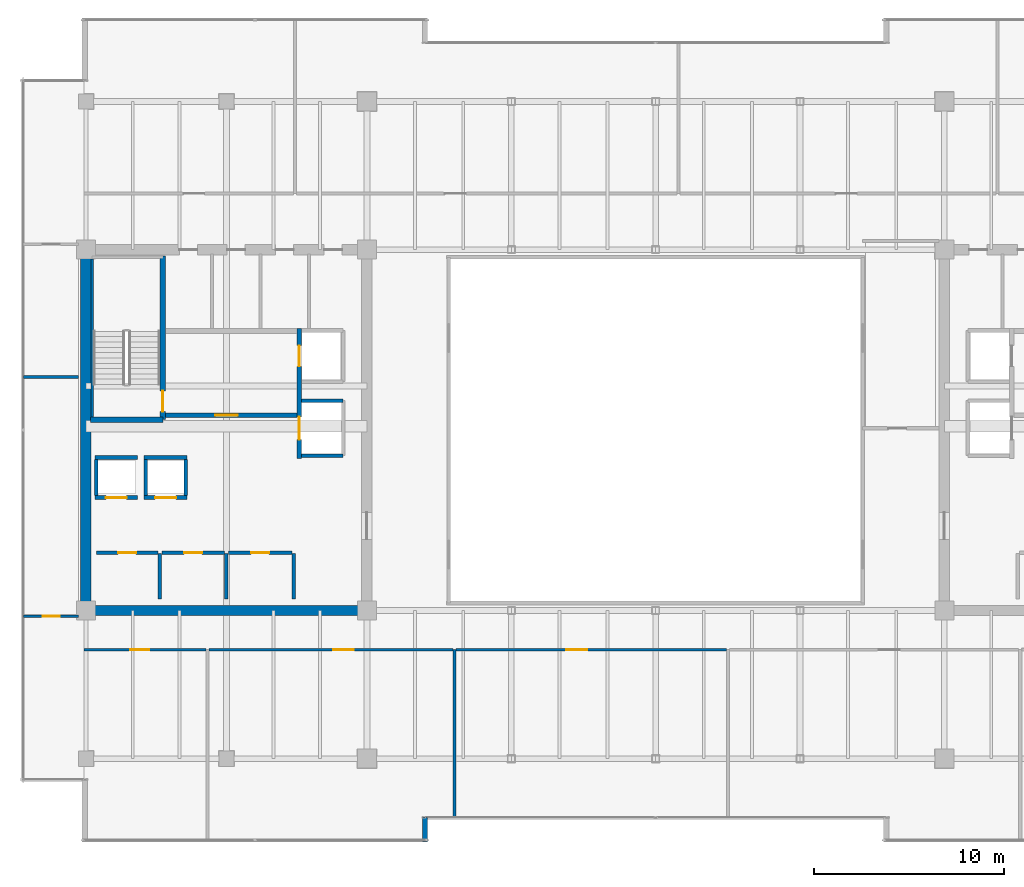
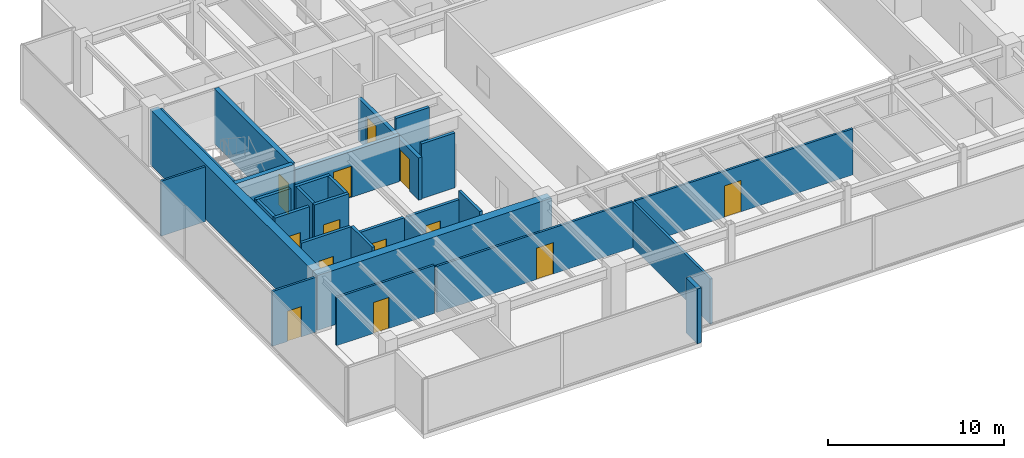
# One storey, part 28 of 35: 29 walls, 13 doors, 13 openings.
"""IFC4 building model written with IfcOpenShell, lengths in metres."""

from ifc_helpers import new_model, si_unit, direction, frame, frame_2d, origin, place, context, subcontext, project, spatial, rectangle, extrude, source, transform, mapped, material, layer, layer_set, type_object, type_shapes, element, fill, save


model = new_model("IFC4")

# Units and contexts
model_context = context("Model", 3, precision=1e-05, world=origin(), true_north=direction((0.0, 1.0)))
body_context = subcontext(model_context, "Body", "Model", "MODEL_VIEW")
ifc_project = project(units=[si_unit("LENGTHUNIT", "METRE"), si_unit("AREAUNIT", "SQUARE_METRE"), si_unit("VOLUMEUNIT", "CUBIC_METRE"), si_unit("PLANEANGLEUNIT", "RADIAN"), si_unit("MASSUNIT", "GRAM", prefix="KILO")], contexts=[model_context])

# Site, building, storey
site_placement = place(None, origin())
site = spatial("IfcSite", under=ifc_project, at=site_placement, CompositionType="ELEMENT")
building_placement = place(site_placement, origin())
building = spatial("IfcBuilding", under=site, at=building_placement, Name="Haelvirn Gate Laboratories", CompositionType="ELEMENT")
storey_placement = place(building_placement, frame((0.0, 0.0, 226.0)))
storey = spatial("IfcBuildingStorey", under=building, at=storey_placement, Name="L54", CompositionType="ELEMENT", Elevation=226.0)

# Walls
ifc_material_1 = material(Name="Thermally-broken bronze aluminium rainscreen & mineral wool", Category="aluminium")
ifc_layer_1 = layer(ifc_material_1, 0.280029296875, Name="EW-TERR-280")
ifc_layer_set_1 = layer_set([ifc_layer_1], Name="Thermally-broken bronze aluminium rainscreen & mineral wool")
wall_type_1 = type_object("IfcWallType", Name="EW-TERR-280", PredefinedType="STANDARD", material=ifc_layer_set_1)
wall_1_placement = place(storey_placement, frame((25.260009765625, 2.60009765625, 0.0), z_axis=(0.0, 0.0, 1.0), x_axis=(0.0, 1.0, 0.0)))
element("IfcWall", 1, at=wall_1_placement, inside=storey, type_object=wall_type_1, Name="L54 Atrium Recess Bronze Return Wall 01", PredefinedType="STANDARD", context=body_context, shape_type="SweptSolid", body=[
    extrude(rectangle(XDim=1.29296875, YDim=0.280029296875, at=frame_2d((0.646484375, 0.0))), origin(), (0.0, 0.0, 1.0), 3.800048828125),
])
ifc_material_2 = material(Name="Double-layer acoustic gypsum laboratory partition", Category="gypsum")
ifc_layer_2 = layer(ifc_material_2, 0.159912109375, Name="IW-ACOUST-160")
ifc_layer_set_2 = layer_set([ifc_layer_2], Name="Double-layer acoustic gypsum laboratory partition")
wall_type_2 = type_object("IfcWallType", Name="IW-ACOUST-160", PredefinedType="PARTITIONING", material=ifc_layer_set_2)
wall_2_placement = place(storey_placement, frame((26.800048828125, 3.909912109375, 0.0), z_axis=(0.0, 0.0, 1.0), x_axis=(0.0, 1.0, 0.0)))
element("IfcWall", 2, at=wall_2_placement, inside=storey, type_object=wall_type_2, Name="L54 Interior Wall IW-L54-SDIV-02", PredefinedType="PARTITIONING", context=body_context, shape_type="SweptSolid", body=[
    extrude(rectangle(XDim=8.830078125, YDim=0.159912109375, at=frame_2d((4.4150390625, 0.0))), origin(), (0.0, 0.0, 1.0), 3.135009765625),
])

# Wall, opening, door
ifc_material_3 = material(Name="Acoustic mineral-wool gypsum board partition", Category="gypsum")
ifc_layer_3 = layer(ifc_material_3, 0.139892578125, Name="IW-PART-140")
ifc_layer_set_3 = layer_set([ifc_layer_3], Name="Acoustic mineral-wool gypsum board partition")
wall_type_3 = type_object("IfcWallType", Name="IW-PART-140", PredefinedType="PARTITIONING", material=ifc_layer_set_3)
wall_3_placement = place(storey_placement, frame((7.31005859375, 12.739990234375, 0.0), z_axis=(0.0, 0.0, 1.0), x_axis=(1.0, 0.0, 0.0)))
wall_3 = element("IfcWall", 3, at=wall_3_placement, inside=storey, type_object=wall_type_3, Name="L54 Interior Wall IW-L54-SCORR-01", PredefinedType="PARTITIONING", context=body_context, shape_type="SweptSolid", body=[
    extrude(rectangle(XDim=6.409912109375, YDim=0.139892578125, at=frame_2d((3.205078125, 0.0))), origin(), (0.0, 0.0, 1.0), 3.3349609375),
])
opening_1_placement = place(wall_3_placement, frame((2.42236328125, 0.0, 0.0)))
opening_1 = element("IfcOpeningElement", 4, at=opening_1_placement, cuts=wall_3, Name="Opening D2", PredefinedType="OPENING", context=body_context, shape_type="SweptSolid", body=[
    extrude(rectangle(XDim=1.0, YDim=2.14990234375, at=frame_2d((0.5, 1.074951171875))), frame((0.0, 0.080078125, 0.0), z_axis=(0.0, -1.0, 0.0), x_axis=(1.0, 0.0, 0.0)), (0.0, 0.0, 1.0), 0.159912109375),
])
ifc_material_4 = material(Name="Acoustic solid-core timber suite door", Category="wood")
door_type_1 = type_object("IfcDoorType", Name="DR-INT-1000", OperationType="NOTDEFINED", PredefinedType="DOOR", material=ifc_material_4)
shared_shape_1 = source(origin(), body_context, "Body", "SweptSolid", [
    extrude(rectangle(XDim=1.0, YDim=2.14990234375, at=frame_2d((0.5, 1.074951171875))), frame((0.0, 0.02490234375, 0.0), z_axis=(0.0, -1.0, 0.0), x_axis=(1.0, 0.0, 0.0)), (0.0, 0.0, 1.0), 0.050048828125),
])
type_shapes(door_type_1, [shared_shape_1])
door_1_placement = place(opening_1_placement, origin())
door_1 = element("IfcDoor", 5, at=door_1_placement, inside=storey, type_object=door_type_1, Name="L54 Translational Data Office Door S1", OperationType="SINGLE_SWING_LEFT", OverallHeight=2.14990234375, OverallWidth=1.0, PredefinedType="DOOR", context=body_context, shape_type="MappedRepresentation", body=[
    mapped(shared_shape_1, transform((0.0, 0.0, 0.0), scale=1.0)),
])
fill(opening_1, door_1)

wall_4_placement = place(storey_placement, frame((13.8798828125, 12.739990234375, 0.0), z_axis=(0.0, 0.0, 1.0), x_axis=(1.0, 0.0, 0.0)))
wall_4 = element("IfcWall", 6, at=wall_4_placement, inside=storey, type_object=wall_type_3, Name="L54 Interior Wall IW-L54-SCORR-02", PredefinedType="PARTITIONING", context=body_context, shape_type="SweptSolid", body=[
    extrude(rectangle(XDim=12.840087890625, YDim=0.139892578125, at=frame_2d((6.419921875, 0.0))), origin(), (0.0, 0.0, 1.0), 3.197021484375),
])
opening_2_placement = place(wall_4_placement, frame((6.532470703125, 0.0, 0.0)))
opening_2 = element("IfcOpeningElement", 7, at=opening_2_placement, cuts=wall_4, Name="Opening D1", PredefinedType="OPENING", context=body_context, shape_type="SweptSolid", body=[
    extrude(rectangle(XDim=1.10009765625, YDim=2.179931640625, at=frame_2d((0.550048828125, 1.08984375))), frame((0.0, 0.080078125, 0.0), z_axis=(0.0, -1.0, 0.0), x_axis=(1.0, 0.0, 0.0)), (0.0, 0.0, 1.0), 0.159912109375),
])
ifc_material_5 = material(Name="Vision-panel acoustic solid-core timber lab door", Category="wood")
door_type_2 = type_object("IfcDoorType", Name="DR-LAB-1100", OperationType="NOTDEFINED", PredefinedType="DOOR", material=ifc_material_5)
shared_shape_2 = source(origin(), body_context, "Body", "SweptSolid", [
    extrude(rectangle(XDim=1.10009765625, YDim=2.179931640625, at=frame_2d((0.550048828125, 1.08984375))), frame((0.0, 0.02490234375, 0.0), z_axis=(0.0, -1.0, 0.0), x_axis=(1.0, 0.0, 0.0)), (0.0, 0.0, 1.0), 0.050048828125),
])
type_shapes(door_type_2, [shared_shape_2])
door_2_placement = place(opening_2_placement, origin())
door_2 = element("IfcDoor", 8, at=door_2_placement, inside=storey, type_object=door_type_2, Name="L54 Computational Write-Up Office Door S2", OperationType="SINGLE_SWING_RIGHT", OverallHeight=2.179931640625, OverallWidth=1.10009765625, PredefinedType="DOOR", context=body_context, shape_type="MappedRepresentation", body=[
    mapped(shared_shape_2, transform((0.0, 0.0, 0.0), scale=1.0)),
])
fill(opening_2, door_2)

wall_5_placement = place(storey_placement, frame((26.8798828125, 12.739990234375, 0.0), z_axis=(0.0, 0.0, 1.0), x_axis=(1.0, 0.0, 0.0)))
wall_5 = element("IfcWall", 9, at=wall_5_placement, inside=storey, type_object=wall_type_3, Name="L54 Interior Wall IW-L54-SCORR-03", PredefinedType="PARTITIONING", context=body_context, shape_type="SweptSolid", body=[
    extrude(rectangle(XDim=14.240234375, YDim=0.139892578125, at=frame_2d((7.1201171875, 0.0))), origin(), (0.0, 0.0, 1.0), 3.197021484375),
])
opening_3_placement = place(wall_5_placement, frame((5.823486328125, 0.0, 0.0)))
opening_3 = element("IfcOpeningElement", 10, at=opening_3_placement, cuts=wall_5, Name="Opening D1", PredefinedType="OPENING", context=body_context, shape_type="SweptSolid", body=[
    extrude(rectangle(XDim=1.10009765625, YDim=2.179931640625, at=frame_2d((0.550048828125, 1.08984375))), frame((0.0, 0.080078125, 0.0), z_axis=(0.0, -1.0, 0.0), x_axis=(1.0, 0.0, 0.0)), (0.0, 0.0, 1.0), 0.159912109375),
])
door_3_placement = place(opening_3_placement, origin())
door_3 = element("IfcDoor", 11, at=door_3_placement, inside=storey, type_object=door_type_2, Name="L54 Bioinformatics Dry-Lab Workspace Door S3", OperationType="SINGLE_SWING_LEFT", OverallHeight=2.179931640625, OverallWidth=1.10009765625, PredefinedType="DOOR", context=body_context, shape_type="MappedRepresentation", body=[
    mapped(shared_shape_2, transform((0.0, 0.0, 0.0), scale=1.0)),
])
fill(opening_3, door_3)

# Wall
wall_6_placement = place(storey_placement, frame((4.110107421875, 27.10009765625, 0.0), z_axis=(0.0, 0.0, 1.0), x_axis=(1.0, 0.0, 0.0)))
element("IfcWall", 12, at=wall_6_placement, inside=storey, type_object=wall_type_3, Name="L54 Interior Wall IW-L54-WZ3-MID", PredefinedType="PARTITIONING", context=body_context, shape_type="SweptSolid", body=[
    extrude(rectangle(XDim=2.909912109375, YDim=0.139892578125, at=frame_2d((1.455078125, 0.0))), origin(), (0.0, 0.0, 1.0), 3.800048828125),
])

# Wall, opening, door
wall_7_placement = place(storey_placement, frame((4.110107421875, 14.5048828125, 0.0), z_axis=(0.0, 0.0, 1.0), x_axis=(1.0, 0.0, 0.0)))
wall_7 = element("IfcWall", 13, at=wall_7_placement, inside=storey, type_object=wall_type_3, Name="L54 Interior Wall IW-L54-WZ3-ENT-S", PredefinedType="PARTITIONING", context=body_context, shape_type="SweptSolid", body=[
    extrude(rectangle(XDim=2.909912109375, YDim=0.139892578125, at=frame_2d((1.455078125, 0.0))), origin(), (0.0, 0.0, 1.0), 3.800048828125),
])
opening_4_placement = place(wall_7_placement, frame((1.0048828125, 0.0, 0.0)))
opening_4 = element("IfcOpeningElement", 14, at=opening_4_placement, cuts=wall_7, Name="Opening D4", PredefinedType="OPENING", context=body_context, shape_type="SweptSolid", body=[
    extrude(rectangle(XDim=0.89990234375, YDim=2.10009765625, at=frame_2d((0.449951171875, 1.050048828125))), frame((0.0, 0.080078125, 0.0), z_axis=(0.0, -1.0, 0.0), x_axis=(1.0, 0.0, 0.0)), (0.0, 0.0, 1.0), 0.159912109375),
])
ifc_material_6 = material(Name="Glazed aluminium-framed write-up door", Category="aluminium")
door_type_3 = type_object("IfcDoorType", Name="DR-OFF-900", OperationType="NOTDEFINED", PredefinedType="DOOR", material=ifc_material_6)
shared_shape_3 = source(origin(), body_context, "Body", "SweptSolid", [
    extrude(rectangle(XDim=0.89990234375, YDim=2.10009765625, at=frame_2d((0.449951171875, 1.050048828125))), frame((0.0, 0.02490234375, 0.0), z_axis=(0.0, -1.0, 0.0), x_axis=(1.0, 0.0, 0.0)), (0.0, 0.0, 1.0), 0.050048828125),
])
type_shapes(door_type_3, [shared_shape_3])
door_4_placement = place(opening_4_placement, origin())
door_4 = element("IfcDoor", 15, at=door_4_placement, inside=storey, type_object=door_type_3, Name="L54 Cleanroom Metrology Suite Door W-S", OperationType="SINGLE_SWING_LEFT", OverallHeight=2.10009765625, OverallWidth=0.89990234375, PredefinedType="DOOR", context=body_context, shape_type="MappedRepresentation", body=[
    mapped(shared_shape_3, transform((0.0, 0.0, 0.0), scale=1.0)),
])
fill(opening_4, door_4)

# Walls
ifc_material_7 = material(Name="Concrete C40/50", Category="concrete")
ifc_layer_4 = layer(ifc_material_7, 0.179931640625, Name="IW-SHAFT-180")
ifc_layer_set_4 = layer_set([ifc_layer_4], Name="Concrete C40/50")
wall_type_4 = type_object("IfcWallType", Name="IW-SHAFT-180", PredefinedType="SOLIDWALL", material=ifc_layer_set_4)
for number, where, z_axis, x_axis, name in (
    (16, (7.949951171875, 20.85009765625, 0.0), (0.0, 0.0, 1.0), (0.0, 1.0, 0.0), "L54 Interior Wall IW-L54-PL9-SD"),
    (17, (10.550048828125, 20.85009765625, 0.0), (0.0, 0.0, 1.0), (0.0, 1.0, 0.0), "L54 Interior Wall IW-L54-PL10-SD"),
    (18, (12.64990234375, 20.85009765625, 0.0), (0.0, 0.0, 1.0), (0.0, 1.0, 0.0), "L54 Interior Wall IW-L54-PL10-SDE"),
):
    element("IfcWall", number, at=place(storey_placement, frame(where, z_axis=z_axis, x_axis=x_axis)), inside=storey, type_object=wall_type_4, Name=name, PredefinedType="SOLIDWALL", context=body_context, shape_type="SweptSolid", body=[
        extrude(rectangle(XDim=1.89990234375, YDim=0.179931640625, at=frame_2d((0.949951171875, 0.0))), origin(), (0.0, 0.0, 1.0), 3.800048828125),
    ])

# Wall, opening, door
wall_8_placement = place(storey_placement, frame((7.949951171875, 17.85009765625, 0.0), z_axis=(0.0, 0.0, 1.0), x_axis=(1.0, 0.0, 0.0)))
wall_8 = element("IfcWall", 19, at=wall_8_placement, inside=storey, type_object=wall_type_4, Name="L54 Interior Wall IW-L54-W-FREED-HN-1", PredefinedType="SOLIDWALL", context=body_context, shape_type="SweptSolid", body=[
    extrude(rectangle(XDim=3.25, YDim=0.179931640625, at=frame_2d((1.625, 0.0))), origin(), (0.0, 0.0, 1.0), 3.800048828125),
])
opening_5_placement = place(wall_8_placement, frame((1.14990234375, 0.0, 0.0)))
opening_5 = element("IfcOpeningElement", 20, at=opening_5_placement, cuts=wall_8, Name="Opening FD4", PredefinedType="OPENING", context=body_context, shape_type="SweptSolid", body=[
    extrude(rectangle(XDim=0.949951171875, YDim=2.14990234375, at=frame_2d((0.47509765625, 1.074951171875))), frame((0.0, 0.10009765625, 0.0), z_axis=(0.0, -1.0, 0.0), x_axis=(1.0, 0.0, 0.0)), (0.0, 0.0, 1.0), 0.199951171875),
])
ifc_material_8 = material(Name="Fire-rated steel SM355 core service door", Category="steel")
door_type_4 = type_object("IfcDoorType", Name="DR-FD-950", OperationType="NOTDEFINED", PredefinedType="DOOR", material=ifc_material_8)
shared_shape_4 = source(origin(), body_context, "Body", "SweptSolid", [
    extrude(rectangle(XDim=0.949951171875, YDim=2.14990234375, at=frame_2d((0.47509765625, 1.074951171875))), frame((0.0, 0.02490234375, 0.0), z_axis=(0.0, -1.0, 0.0), x_axis=(1.0, 0.0, 0.0)), (0.0, 0.0, 1.0), 0.050048828125),
])
type_shapes(door_type_4, [shared_shape_4])
door_5_placement = place(opening_5_placement, origin())
door_5 = element("IfcDoor", 21, at=door_5_placement, inside=storey, type_object=door_type_4, Name="L54 Autoclave Bio-Prep Room Door", OperationType="SINGLE_SWING_LEFT", OverallHeight=2.14990234375, OverallWidth=0.949951171875, PredefinedType="DOOR", context=body_context, shape_type="MappedRepresentation", body=[
    mapped(shared_shape_4, transform((0.0, 0.0, 0.0), scale=1.0)),
])
fill(opening_5, door_5)

# Wall
wall_9_placement = place(storey_placement, frame((11.2900390625, 15.39990234375, 0.0), z_axis=(0.0, 0.0, 1.0), x_axis=(0.0, 1.0, 0.0)))
element("IfcWall", 22, at=wall_9_placement, inside=storey, type_object=wall_type_4, Name="L54 Interior Wall IW-L54-W-FREED-HE-1", PredefinedType="SOLIDWALL", context=body_context, shape_type="SweptSolid", body=[
    extrude(rectangle(XDim=2.400146484375, YDim=0.179931640625, at=frame_2d((1.2001953125, 0.0))), origin(), (0.0, 0.0, 1.0), 3.800048828125),
])

# Wall, opening, door
wall_10_placement = place(storey_placement, frame((11.39990234375, 17.85009765625, 0.0), z_axis=(0.0, 0.0, 1.0), x_axis=(1.0, 0.0, 0.0)))
wall_10 = element("IfcWall", 23, at=wall_10_placement, inside=storey, type_object=wall_type_4, Name="L54 Interior Wall IW-L54-W-FREED-HN-2", PredefinedType="SOLIDWALL", context=body_context, shape_type="SweptSolid", body=[
    extrude(rectangle(XDim=3.300048828125, YDim=0.179931640625, at=frame_2d((1.64990234375, 0.0))), origin(), (0.0, 0.0, 1.0), 3.197021484375),
])
opening_6_placement = place(wall_10_placement, frame((1.175048828125, 0.0, 0.0)))
opening_6 = element("IfcOpeningElement", 24, at=opening_6_placement, cuts=wall_10, Name="Opening FD4", PredefinedType="OPENING", context=body_context, shape_type="SweptSolid", body=[
    extrude(rectangle(XDim=0.949951171875, YDim=2.14990234375, at=frame_2d((0.47509765625, 1.074951171875))), frame((0.0, 0.10009765625, 0.0), z_axis=(0.0, -1.0, 0.0), x_axis=(1.0, 0.0, 0.0)), (0.0, 0.0, 1.0), 0.199951171875),
])
door_6_placement = place(opening_6_placement, origin())
door_6 = element("IfcDoor", 25, at=door_6_placement, inside=storey, type_object=door_type_4, Name="L54 Telemetry Analytics Room Door", OperationType="SINGLE_SWING_RIGHT", OverallHeight=2.14990234375, OverallWidth=0.949951171875, PredefinedType="DOOR", context=body_context, shape_type="MappedRepresentation", body=[
    mapped(shared_shape_4, transform((0.0, 0.0, 0.0), scale=1.0)),
])
fill(opening_6, door_6)

# Wall
wall_11_placement = place(storey_placement, frame((14.7900390625, 15.39990234375, 0.0), z_axis=(0.0, 0.0, 1.0), x_axis=(0.0, 1.0, 0.0)))
element("IfcWall", 26, at=wall_11_placement, inside=storey, type_object=wall_type_4, Name="L54 Interior Wall IW-L54-W-FREED-HE-2", PredefinedType="SOLIDWALL", context=body_context, shape_type="SweptSolid", body=[
    extrude(rectangle(XDim=2.400146484375, YDim=0.179931640625, at=frame_2d((1.2001953125, 0.0))), origin(), (0.0, 0.0, 1.0), 3.197021484375),
])

# Wall, opening, door
wall_12_placement = place(storey_placement, frame((14.89990234375, 17.85009765625, 0.0), z_axis=(0.0, 0.0, 1.0), x_axis=(1.0, 0.0, 0.0)))
wall_12 = element("IfcWall", 27, at=wall_12_placement, inside=storey, type_object=wall_type_4, Name="L54 Interior Wall IW-L54-W-FREED-HN-3", PredefinedType="SOLIDWALL", context=body_context, shape_type="SweptSolid", body=[
    extrude(rectangle(XDim=3.35009765625, YDim=0.179931640625, at=frame_2d((1.675048828125, 0.0))), origin(), (0.0, 0.0, 1.0), 3.197021484375),
])
opening_7_placement = place(wall_12_placement, frame((1.199951171875, 0.0, 0.0)))
opening_7 = element("IfcOpeningElement", 28, at=opening_7_placement, cuts=wall_12, Name="Opening FD4", PredefinedType="OPENING", context=body_context, shape_type="SweptSolid", body=[
    extrude(rectangle(XDim=0.949951171875, YDim=2.14990234375, at=frame_2d((0.47509765625, 1.074951171875))), frame((0.0, 0.10009765625, 0.0), z_axis=(0.0, -1.0, 0.0), x_axis=(1.0, 0.0, 0.0)), (0.0, 0.0, 1.0), 0.199951171875),
])
door_7_placement = place(opening_7_placement, origin())
door_7 = element("IfcDoor", 29, at=door_7_placement, inside=storey, type_object=door_type_4, Name="L54 Calibration Metrology Room Door", OperationType="SINGLE_SWING_LEFT", OverallHeight=2.14990234375, OverallWidth=0.949951171875, PredefinedType="DOOR", context=body_context, shape_type="MappedRepresentation", body=[
    mapped(shared_shape_4, transform((0.0, 0.0, 0.0), scale=1.0)),
])
fill(opening_7, door_7)

# Wall
wall_13_placement = place(storey_placement, frame((18.340087890625, 15.39990234375, 0.0), z_axis=(0.0, 0.0, 1.0), x_axis=(0.0, 1.0, 0.0)))
element("IfcWall", 30, at=wall_13_placement, inside=storey, type_object=wall_type_4, Name="L54 Interior Wall IW-L54-W-FREED-HE-3", PredefinedType="SOLIDWALL", context=body_context, shape_type="SweptSolid", body=[
    extrude(rectangle(XDim=2.400146484375, YDim=0.179931640625, at=frame_2d((1.2001953125, 0.0))), origin(), (0.0, 0.0, 1.0), 3.800048828125),
])

# Wall, opening, door
ifc_layer_5 = layer(ifc_material_7, 0.199951171875, Name="IW-SHAFT-200")
ifc_layer_set_5 = layer_set([ifc_layer_5], Name="Concrete C40/50")
wall_type_5 = type_object("IfcWallType", Name="IW-SHAFT-200", PredefinedType="SOLIDWALL", material=ifc_layer_set_5)
wall_14_placement = place(storey_placement, frame((7.8701171875, 20.75, 0.0), z_axis=(0.0, 0.0, 1.0), x_axis=(1.0, 0.0, 0.0)))
wall_14 = element("IfcWall", 31, at=wall_14_placement, inside=storey, type_object=wall_type_5, Name="L54 Interior Wall IW-L54-PL9-FR", PredefinedType="SOLIDWALL", context=body_context, shape_type="SweptSolid", body=[
    extrude(rectangle(XDim=2.259765625, YDim=0.199951171875, at=frame_2d((1.1298828125, 0.0))), origin(), (0.0, 0.0, 1.0), 3.800048828125),
])
opening_8_placement = place(wall_14_placement, frame((0.580078125, 0.0, 0.0)))
opening_8 = element("IfcOpeningElement", 32, at=opening_8_placement, cuts=wall_14, Name="Opening LD2", PredefinedType="OPENING", context=body_context, shape_type="SweptSolid", body=[
    extrude(rectangle(XDim=1.10009765625, YDim=2.219970703125, at=frame_2d((0.550048828125, 1.10986328125))), frame((0.0, 0.10986328125, 0.0), z_axis=(0.0, -1.0, 0.0), x_axis=(1.0, 0.0, 0.0)), (0.0, 0.0, 1.0), 0.219970703125),
])
ifc_material_9 = material(Name="Bronze stainless 316L sliding lift landing door")
door_type_5 = type_object("IfcDoorType", Name="DR-LD-1100", OperationType="NOTDEFINED", PredefinedType="USERDEFINED", material=ifc_material_9)
shared_shape_5 = source(origin(), body_context, "Body", "SweptSolid", [
    extrude(rectangle(XDim=1.10009765625, YDim=2.219970703125, at=frame_2d((0.550048828125, 1.10986328125))), frame((0.0, 0.02490234375, 0.0), z_axis=(0.0, -1.0, 0.0), x_axis=(1.0, 0.0, 0.0)), (0.0, 0.0, 1.0), 0.050048828125),
])
type_shapes(door_type_5, [shared_shape_5])
door_8_placement = place(opening_8_placement, origin())
door_8 = element("IfcDoor", 33, at=door_8_placement, inside=storey, type_object=door_type_5, Name="L54 Passenger Lift PL9 Landing Door", ObjectType="LANDING_DOOR", OperationType="SLIDING_TO_LEFT", OverallHeight=2.219970703125, OverallWidth=1.10009765625, PredefinedType="USERDEFINED", context=body_context, shape_type="MappedRepresentation", body=[
    mapped(shared_shape_5, transform((0.0, 0.0, 0.0), scale=1.0)),
])
fill(opening_8, door_8)

# Wall
wall_15_placement = place(storey_placement, frame((7.8701171875, 22.85009765625, 0.0), z_axis=(0.0, 0.0, 1.0), x_axis=(1.0, 0.0, 0.0)))
element("IfcWall", 34, at=wall_15_placement, inside=storey, type_object=wall_type_5, Name="L54 Interior Wall IW-L54-PL9-BK", PredefinedType="SOLIDWALL", context=body_context, shape_type="SweptSolid", body=[
    extrude(rectangle(XDim=2.259765625, YDim=0.199951171875, at=frame_2d((1.1298828125, 0.0))), origin(), (0.0, 0.0, 1.0), 3.800048828125),
])

# Wall, opening, door
wall_16_placement = place(storey_placement, frame((10.469970703125, 20.75, 0.0), z_axis=(0.0, 0.0, 1.0), x_axis=(1.0, 0.0, 0.0)))
wall_16 = element("IfcWall", 35, at=wall_16_placement, inside=storey, type_object=wall_type_5, Name="L54 Interior Wall IW-L54-PL10-FR", PredefinedType="SOLIDWALL", context=body_context, shape_type="SweptSolid", body=[
    extrude(rectangle(XDim=2.260009765625, YDim=0.199951171875, at=frame_2d((1.1298828125, 0.0))), origin(), (0.0, 0.0, 1.0), 3.800048828125),
])
opening_9_placement = place(wall_16_placement, frame((0.580078125, 0.0, 0.0)))
opening_9 = element("IfcOpeningElement", 36, at=opening_9_placement, cuts=wall_16, Name="Opening LD2", PredefinedType="OPENING", context=body_context, shape_type="SweptSolid", body=[
    extrude(rectangle(XDim=1.10009765625, YDim=2.219970703125, at=frame_2d((0.550048828125, 1.10986328125))), frame((0.0, 0.10986328125, 0.0), z_axis=(0.0, -1.0, 0.0), x_axis=(1.0, 0.0, 0.0)), (0.0, 0.0, 1.0), 0.219970703125),
])
door_9_placement = place(opening_9_placement, origin())
door_9 = element("IfcDoor", 37, at=door_9_placement, inside=storey, type_object=door_type_5, Name="L54 Passenger Lift PL10 Landing Door", ObjectType="LANDING_DOOR", OperationType="SLIDING_TO_RIGHT", OverallHeight=2.219970703125, OverallWidth=1.10009765625, PredefinedType="USERDEFINED", context=body_context, shape_type="MappedRepresentation", body=[
    mapped(shared_shape_5, transform((0.0, 0.0, 0.0), scale=1.0)),
])
fill(opening_9, door_9)

# Walls
wall_17_placement = place(storey_placement, frame((10.469970703125, 22.85009765625, 0.0), z_axis=(0.0, 0.0, 1.0), x_axis=(1.0, 0.0, 0.0)))
element("IfcWall", 38, at=wall_17_placement, inside=storey, type_object=wall_type_5, Name="L54 Interior Wall IW-L54-PL10-BK", PredefinedType="SOLIDWALL", context=body_context, shape_type="SweptSolid", body=[
    extrude(rectangle(XDim=2.260009765625, YDim=0.199951171875, at=frame_2d((1.1298828125, 0.0))), origin(), (0.0, 0.0, 1.0), 3.800048828125),
])
for number, where, z_axis, x_axis, name in (
    (39, (18.760009765625, 25.85009765625, 0.0), (0.0, 0.0, 1.0), (1.0, 0.0, 0.0), "L54 Interior Wall IW-L54-SL1-N"),
    (40, (18.760009765625, 22.949951171875, 0.0), (0.0, 0.0, 1.0), (1.0, 0.0, 0.0), "L54 Interior Wall IW-L54-SL1-S"),
):
    element("IfcWall", number, at=place(storey_placement, frame(where, z_axis=z_axis, x_axis=x_axis)), inside=storey, type_object=wall_type_5, Name=name, PredefinedType="SOLIDWALL", context=body_context, shape_type="SweptSolid", body=[
        extrude(rectangle(XDim=2.18994140625, YDim=0.199951171875, at=frame_2d((1.094970703125, 0.0))), origin(), (0.0, 0.0, 1.0), 3.800048828125),
    ])

# Wall, opening, door
ifc_layer_6 = layer(ifc_material_7, 0.239990234375, Name="IW-SHAFT-240")
ifc_layer_set_6 = layer_set([ifc_layer_6], Name="Concrete C40/50")
wall_type_6 = type_object("IfcWallType", Name="IW-SHAFT-240", PredefinedType="SOLIDWALL", material=ifc_layer_set_6)
wall_18_placement = place(storey_placement, frame((11.60009765625, 25.080078125, 0.0), z_axis=(0.0, 0.0, 1.0), x_axis=(1.0, 0.0, 0.0)))
wall_18 = element("IfcWall", 41, at=wall_18_placement, inside=storey, type_object=wall_type_6, Name="L54 Interior Wall IW-L54-W-FF-S", PredefinedType="SOLIDWALL", context=body_context, shape_type="SweptSolid", body=[
    extrude(rectangle(XDim=6.919921875, YDim=0.239990234375, at=frame_2d((3.4599609375, 0.0))), origin(), (0.0, 0.0, 1.0), 3.197021484375),
])
opening_10_placement = place(wall_18_placement, frame((2.60009765625, 0.0, 0.0)))
opening_10 = element("IfcOpeningElement", 42, at=opening_10_placement, cuts=wall_18, Name="Opening FD2", PredefinedType="OPENING", context=body_context, shape_type="SweptSolid", body=[
    extrude(rectangle(XDim=1.199951171875, YDim=2.159912109375, at=frame_2d((0.60009765625, 1.080078125))), frame((0.0, 0.1298828125, 0.0), z_axis=(0.0, -1.0, 0.0), x_axis=(1.0, 0.0, 0.0)), (0.0, 0.0, 1.0), 0.260009765625),
])
ifc_material_10 = material(Name="Fire-rated steel SM355 compartment door", Category="steel")
door_type_6 = type_object("IfcDoorType", Name="DR-FD-1200", OperationType="NOTDEFINED", PredefinedType="DOOR", material=ifc_material_10)
shared_shape_6 = source(origin(), body_context, "Body", "SweptSolid", [
    extrude(rectangle(XDim=1.199951171875, YDim=2.159912109375, at=frame_2d((0.60009765625, 1.080078125))), frame((0.0, 0.02490234375, 0.0), z_axis=(0.0, -1.0, 0.0), x_axis=(1.0, 0.0, 0.0)), (0.0, 0.0, 1.0), 0.050048828125),
])
type_shapes(door_type_6, [shared_shape_6])
door_10_placement = place(opening_10_placement, origin())
door_10 = element("IfcDoor", 43, at=door_10_placement, inside=storey, type_object=door_type_6, Name="L54 West Firefighting Lobby Door", OperationType="SINGLE_SWING_RIGHT", OverallHeight=2.159912109375, OverallWidth=1.199951171875, PredefinedType="DOOR", context=body_context, shape_type="MappedRepresentation", body=[
    mapped(shared_shape_6, transform((0.0, 0.0, 0.0), scale=1.0)),
])
fill(opening_10, door_10)

# Wall, openings, doors
wall_19_placement = place(storey_placement, frame((18.639892578125, 22.800048828125, 0.0), z_axis=(0.0, 0.0, 1.0), x_axis=(0.0, 1.0, 0.0)))
wall_19 = element("IfcWall", 44, at=wall_19_placement, inside=storey, type_object=wall_type_6, Name="L54 Interior Wall IW-L54-W-FF-E", PredefinedType="SOLIDWALL", context=body_context, shape_type="SweptSolid", body=[
    extrude(rectangle(XDim=6.849853515625, YDim=0.239990234375, at=frame_2d((3.4248046875, 0.0))), origin(), (0.0, 0.0, 1.0), 2.93505859375),
])
opening_11_placement = place(wall_19_placement, frame((4.85009765625, 0.0, 0.0)))
opening_11 = element("IfcOpeningElement", 45, at=opening_11_placement, cuts=wall_19, Name="Opening LD2", PredefinedType="OPENING", context=body_context, shape_type="SweptSolid", body=[
    extrude(rectangle(XDim=1.10009765625, YDim=2.219970703125, at=frame_2d((0.550048828125, 1.10986328125))), frame((0.0, 0.1298828125, 0.0), z_axis=(0.0, -1.0, 0.0), x_axis=(1.0, 0.0, 0.0)), (0.0, 0.0, 1.0), 0.260009765625),
])
opening_12_placement = place(wall_19_placement, frame((1.0, 0.0, 0.0)))
opening_12 = element("IfcOpeningElement", 46, at=opening_12_placement, cuts=wall_19, Name="Opening LD1", PredefinedType="OPENING", context=body_context, shape_type="SweptSolid", body=[
    extrude(rectangle(XDim=1.199951171875, YDim=2.219970703125, at=frame_2d((0.60009765625, 1.10986328125))), frame((0.0, 0.1298828125, 0.0), z_axis=(0.0, -1.0, 0.0), x_axis=(1.0, 0.0, 0.0)), (0.0, 0.0, 1.0), 0.260009765625),
])
door_11_placement = place(opening_11_placement, origin())
door_11 = element("IfcDoor", 47, at=door_11_placement, inside=storey, type_object=door_type_5, Name="L54 Firefighting Lift FL1 Landing Door", ObjectType="LANDING_DOOR", OperationType="SLIDING_TO_LEFT", OverallHeight=2.219970703125, OverallWidth=1.10009765625, PredefinedType="USERDEFINED", context=body_context, shape_type="MappedRepresentation", body=[
    mapped(shared_shape_5, transform((0.0, 0.0, 0.0), scale=1.0)),
])
fill(opening_11, door_11)
ifc_material_11 = material(Name="Stainless steel 316L sliding goods landing door", Category="steel")
door_type_7 = type_object("IfcDoorType", Name="DR-LD-1200", OperationType="NOTDEFINED", PredefinedType="USERDEFINED", material=ifc_material_11)
shared_shape_7 = source(origin(), body_context, "Body", "SweptSolid", [
    extrude(rectangle(XDim=1.199951171875, YDim=2.219970703125, at=frame_2d((0.60009765625, 1.10986328125))), frame((0.0, 0.02490234375, 0.0), z_axis=(0.0, -1.0, 0.0), x_axis=(1.0, 0.0, 0.0)), (0.0, 0.0, 1.0), 0.050048828125),
])
type_shapes(door_type_7, [shared_shape_7])
door_12_placement = place(opening_12_placement, origin())
door_12 = element("IfcDoor", 48, at=door_12_placement, inside=storey, type_object=door_type_7, Name="L54 Service Lift SL1 Landing Door", ObjectType="LANDING_DOOR", OperationType="SLIDING_TO_RIGHT", OverallHeight=2.219970703125, OverallWidth=1.199951171875, PredefinedType="USERDEFINED", context=body_context, shape_type="MappedRepresentation", body=[
    mapped(shared_shape_7, transform((0.0, 0.0, 0.0), scale=1.0)),
])
fill(opening_12, door_12)

# Walls
ifc_material_12 = material(Name="Concrete C50/60", Category="concrete")
ifc_layer_7 = layer(ifc_material_12, 0.550048828125, Name="SW-CORE-550")
ifc_layer_set_7 = layer_set([ifc_layer_7], Name="Concrete C50/60")
wall_type_7 = type_object("IfcWallType", Name="SW-CORE-550", PredefinedType="SHEAR", material=ifc_layer_set_7)
wall_20_placement = place(storey_placement, frame((7.125, 14.800048828125, 0.0), z_axis=(0.0, 0.0, 1.0), x_axis=(1.0, 0.0, 0.0)))
element("IfcWall", 49, at=wall_20_placement, inside=storey, type_object=wall_type_7, Name="L54 W Core Shear Wall S", PredefinedType="SHEAR", context=body_context, shape_type="SweptSolid", body=[
    extrude(rectangle(XDim=15.35009765625, YDim=0.550048828125, at=frame_2d((7.675048828125, 0.0))), origin(), (0.0, 0.0, 1.0), 3.800048828125),
])
wall_21_placement = place(storey_placement, frame((7.39990234375, 15.074951171875, 0.0), z_axis=(0.0, 0.0, 1.0), x_axis=(0.0, 1.0, 0.0)))
element("IfcWall", 50, at=wall_21_placement, inside=storey, type_object=wall_type_7, Name="L54 W Core Shear Wall W", PredefinedType="SHEAR", context=body_context, shape_type="SweptSolid", body=[
    extrude(rectangle(XDim=18.449951171875, YDim=0.550048828125, at=frame_2d((9.22509765625, 0.0))), origin(), (0.0, 0.0, 1.0), 3.800048828125),
])
ifc_layer_8 = layer(ifc_material_12, 0.1201171875, Name="SW-LINER-120")
ifc_layer_set_8 = layer_set([ifc_layer_8], Name="Concrete C50/60")
wall_type_8 = type_object("IfcWallType", Name="SW-LINER-120", PredefinedType="SOLIDWALL", material=ifc_layer_set_8)
wall_22_placement = place(storey_placement, frame((7.72998046875, 25.0, 0.0), z_axis=(0.0, 0.0, 1.0), x_axis=(0.0, 1.0, 0.0)))
element("IfcWall", 51, at=wall_22_placement, inside=storey, type_object=wall_type_8, Name="L54 W Core Stair Shaft Liner Wall OUT", PredefinedType="SOLIDWALL", context=body_context, shape_type="SweptSolid", body=[
    extrude(rectangle(XDim=8.320068359375, YDim=0.1201171875, at=frame_2d((4.16015625, 0.0))), origin(), (0.0, 0.0, 1.0), 3.800048828125),
])

# Wall, opening, door
ifc_layer_9 = layer(ifc_material_12, 0.300048828125, Name="SW-STAIR-300")
ifc_layer_set_9 = layer_set([ifc_layer_9], Name="Concrete C50/60")
wall_type_9 = type_object("IfcWallType", Name="SW-STAIR-300", PredefinedType="SHEAR", material=ifc_layer_set_9)
wall_23_placement = place(storey_placement, frame((11.449951171875, 24.85009765625, 0.0), z_axis=(0.0, 0.0, 1.0), x_axis=(0.0, 1.0, 0.0)))
wall_23 = element("IfcWall", 52, at=wall_23_placement, inside=storey, type_object=wall_type_9, Name="L54 W Core Stair Shaft Structural Wall IN", PredefinedType="SHEAR", context=body_context, shape_type="SweptSolid", body=[
    extrude(rectangle(XDim=8.6298828125, YDim=0.300048828125, at=frame_2d((4.31494140625, 0.0))), origin(), (0.0, 0.0, 1.0), 3.800048828125),
])
opening_13_placement = place(wall_23_placement, frame((0.419921875, 0.0, 0.0)))
opening_13 = element("IfcOpeningElement", 53, at=opening_13_placement, cuts=wall_23, Name="Opening FD3", PredefinedType="OPENING", context=body_context, shape_type="SweptSolid", body=[
    extrude(rectangle(XDim=1.10009765625, YDim=2.14990234375, at=frame_2d((0.550048828125, 1.074951171875))), frame((0.0, 0.16015625, 0.0), z_axis=(0.0, -1.0, 0.0), x_axis=(1.0, 0.0, 0.0)), (0.0, 0.0, 1.0), 0.320068359375),
])
ifc_material_13 = material(Name="Fire-rated steel SM355 escape stair door", Category="steel")
door_type_8 = type_object("IfcDoorType", Name="DR-FD-1100", OperationType="NOTDEFINED", PredefinedType="DOOR", material=ifc_material_13)
shared_shape_8 = source(origin(), body_context, "Body", "SweptSolid", [
    extrude(rectangle(XDim=1.10009765625, YDim=2.14990234375, at=frame_2d((0.550048828125, 1.074951171875))), frame((0.0, 0.02490234375, 0.0), z_axis=(0.0, -1.0, 0.0), x_axis=(1.0, 0.0, 0.0)), (0.0, 0.0, 1.0), 0.050048828125),
])
type_shapes(door_type_8, [shared_shape_8])
door_13_placement = place(opening_13_placement, origin())
door_13 = element("IfcDoor", 54, at=door_13_placement, inside=storey, type_object=door_type_8, Name="L54 Escape Stair ST1 Fire Door", OperationType="SINGLE_SWING_LEFT", OverallHeight=2.14990234375, OverallWidth=1.10009765625, PredefinedType="DOOR", context=body_context, shape_type="MappedRepresentation", body=[
    mapped(shared_shape_8, transform((0.0, 0.0, 0.0), scale=1.0)),
])
fill(opening_13, door_13)

# Wall
wall_24_placement = place(storey_placement, frame((7.64990234375, 24.85009765625, 0.0), z_axis=(0.0, 0.0, 1.0), x_axis=(1.0, 0.0, 0.0)))
element("IfcWall", 55, at=wall_24_placement, inside=storey, type_object=wall_type_9, Name="L54 W Core Stair Shaft Structural Wall S", PredefinedType="SHEAR", context=body_context, shape_type="SweptSolid", body=[
    extrude(rectangle(XDim=3.800048828125, YDim=0.300048828125, at=frame_2d((1.89990234375, 0.0))), origin(), (0.0, 0.0, 1.0), 3.800048828125),
])

save(model, "model.ifc")
